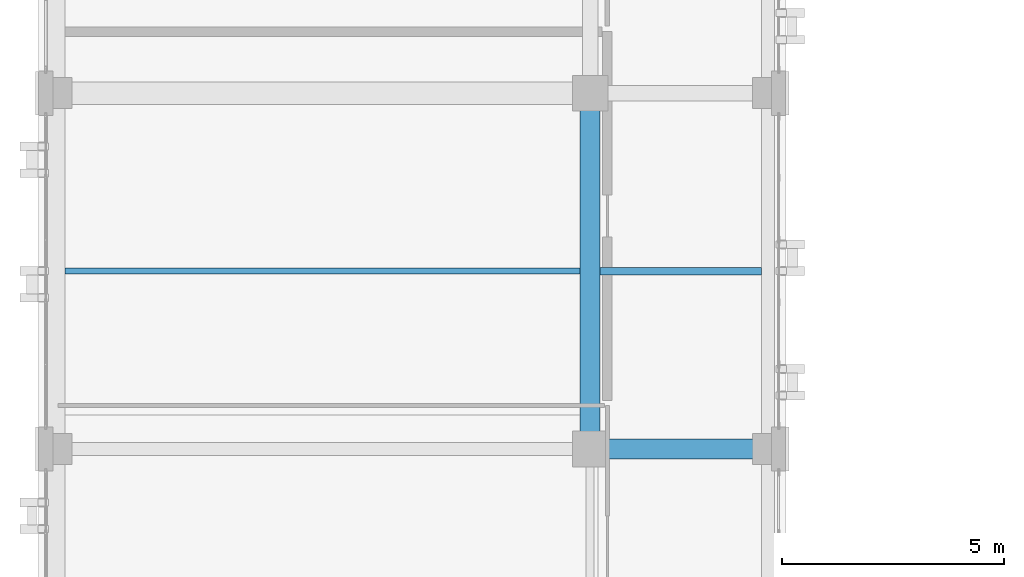
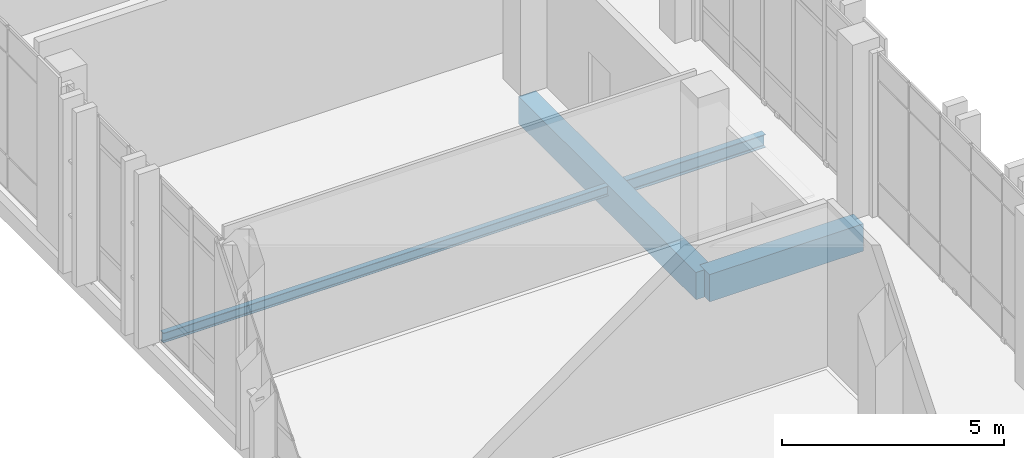
# One storey, part 68 of 189: 4 beams.
"""IFC4 building model written with IfcOpenShell, lengths in metres."""

from ifc_helpers import new_model, si_unit, direction, frame, origin, origin_2d, place, context, subcontext, project, spatial, rectangle, i_section, extrude, material, material_profile, profile_set, type_object, element, save


model = new_model("IFC4")

# Units and contexts
model_context = context("Model", 3, precision=1e-05, world=origin(), true_north=direction((0.0, 1.0)))
body_context = subcontext(model_context, "Body", "Model", "MODEL_VIEW")
ifc_project = project(units=[si_unit("LENGTHUNIT", "METRE"), si_unit("AREAUNIT", "SQUARE_METRE"), si_unit("VOLUMEUNIT", "CUBIC_METRE"), si_unit("PLANEANGLEUNIT", "RADIAN"), si_unit("MASSUNIT", "GRAM", prefix="KILO")], contexts=[model_context])

# Site, building, storey
site_placement = place(None, origin())
site = spatial("IfcSite", under=ifc_project, at=site_placement, CompositionType="ELEMENT")
building_placement = place(site_placement, origin())
building = spatial("IfcBuilding", under=site, at=building_placement, Name="Qalavern Law Courts", CompositionType="ELEMENT")
storey_placement = place(building_placement, frame((0.0, 0.0, 5.39990234375)))
storey = spatial("IfcBuildingStorey", under=building, at=storey_placement, Name="L01", CompositionType="ELEMENT", Elevation=5.39990234375)

# Beams
ifc_material_1 = material(Name="Concrete C40/50", Category="concrete")
ifc_material_profile_1 = material_profile(ifc_material_1, rectangle(XDim=0.449951171875, YDim=0.75, at=origin_2d()), Name="RC 450x750")
ifc_profile_set_1 = profile_set([ifc_material_profile_1], Name="Concrete C40/50")
beam_type_1 = type_object("IfcBeamType", Name="STR-BM-RC450x750", PredefinedType="BEAM", material=ifc_profile_set_1)
beam_1_placement = place(storey_placement, frame((14.39990234375, 65.39990234375, -0.6748046875), z_axis=(1.0, 0.0, 0.0), x_axis=(0.0, 1.0, 0.0)))
element("IfcBeam", 1, at=beam_1_placement, inside=storey, type_object=beam_type_1, Name="V3 X-beam 4-2 L01", PredefinedType="BEAM", context=body_context, shape_type="SweptSolid", body=[
    extrude(rectangle(XDim=0.449951171875, YDim=0.75, at=origin_2d()), origin(), (0.0, 0.0, 1.0), 4.0),
])
beam_2_placement = place(storey_placement, frame((14.39990234375, 65.39990234375, -0.6748046875), z_axis=(0.0, 1.0, 0.0), x_axis=(-1.0, 0.0, 0.0)))
element("IfcBeam", 2, at=beam_2_placement, inside=storey, type_object=beam_type_1, Name="V3 Y-beam 2-4 L01", PredefinedType="BEAM", context=body_context, shape_type="SweptSolid", body=[
    extrude(rectangle(XDim=0.449951171875, YDim=0.75, at=origin_2d()), origin(), (0.0, 0.0, 1.0), 8.0),
])
ifc_material_2 = material(Name="Steel S355", Category="steel")
ifc_material_profile_2 = material_profile(ifc_material_2, i_section(OverallWidth=0.135009765625, OverallDepth=0.27001953125, WebThickness=0.006591796875, FlangeThickness=0.01025390625, FilletRadius=0.014892578125, at=origin_2d()), Name="IPE 270")
ifc_profile_set_2 = profile_set([ifc_material_profile_2], Name="Steel S355")
beam_type_2 = type_object("IfcBeamType", Name="STR-JST-IPE270", PredefinedType="JOIST", material=ifc_profile_set_2)
beam_3_placement = place(storey_placement, frame((2.597900390625, 69.39990234375, -0.434814453125), z_axis=(1.0, 0.0, 0.0), x_axis=(0.0, 1.0, 0.0)))
element("IfcBeam", 3, at=beam_3_placement, inside=storey, type_object=beam_type_2, Name="V3 secondary joist 1.4.1 L01", PredefinedType="JOIST", context=body_context, shape_type="SweptSolid", body=[
    extrude(i_section(OverallWidth=0.135009765625, OverallDepth=0.27001953125, WebThickness=0.006591796875, FlangeThickness=0.01025390625, FilletRadius=0.014892578125, at=origin_2d()), origin(), (0.0, 0.0, 1.0), 11.5791015625),
])
ifc_material_profile_3 = material_profile(ifc_material_2, i_section(OverallWidth=0.169921875, OverallDepth=0.360107421875, WebThickness=0.008056640625, FlangeThickness=0.0126953125, FilletRadius=0.01806640625, at=origin_2d()), Name="IPE 360")
ifc_profile_set_3 = profile_set([ifc_material_profile_3], Name="Steel S355")
beam_type_3 = type_object("IfcBeamType", Name="STR-JST-IPE360", PredefinedType="JOIST", material=ifc_profile_set_3)
beam_4_placement = place(storey_placement, frame((14.623046875, 69.39990234375, -0.47998046875), z_axis=(1.0, 0.0, 0.0), x_axis=(0.0, 1.0, 0.0)))
element("IfcBeam", 4, at=beam_4_placement, inside=storey, type_object=beam_type_3, Name="V3 secondary joist 2.4.1 L01", PredefinedType="JOIST", context=body_context, shape_type="SweptSolid", body=[
    extrude(i_section(OverallWidth=0.169921875, OverallDepth=0.360107421875, WebThickness=0.008056640625, FlangeThickness=0.0126953125, FilletRadius=0.01806640625, at=origin_2d()), origin(), (0.0, 0.0, 1.0), 3.62890625),
])

save(model, "model.ifc")
